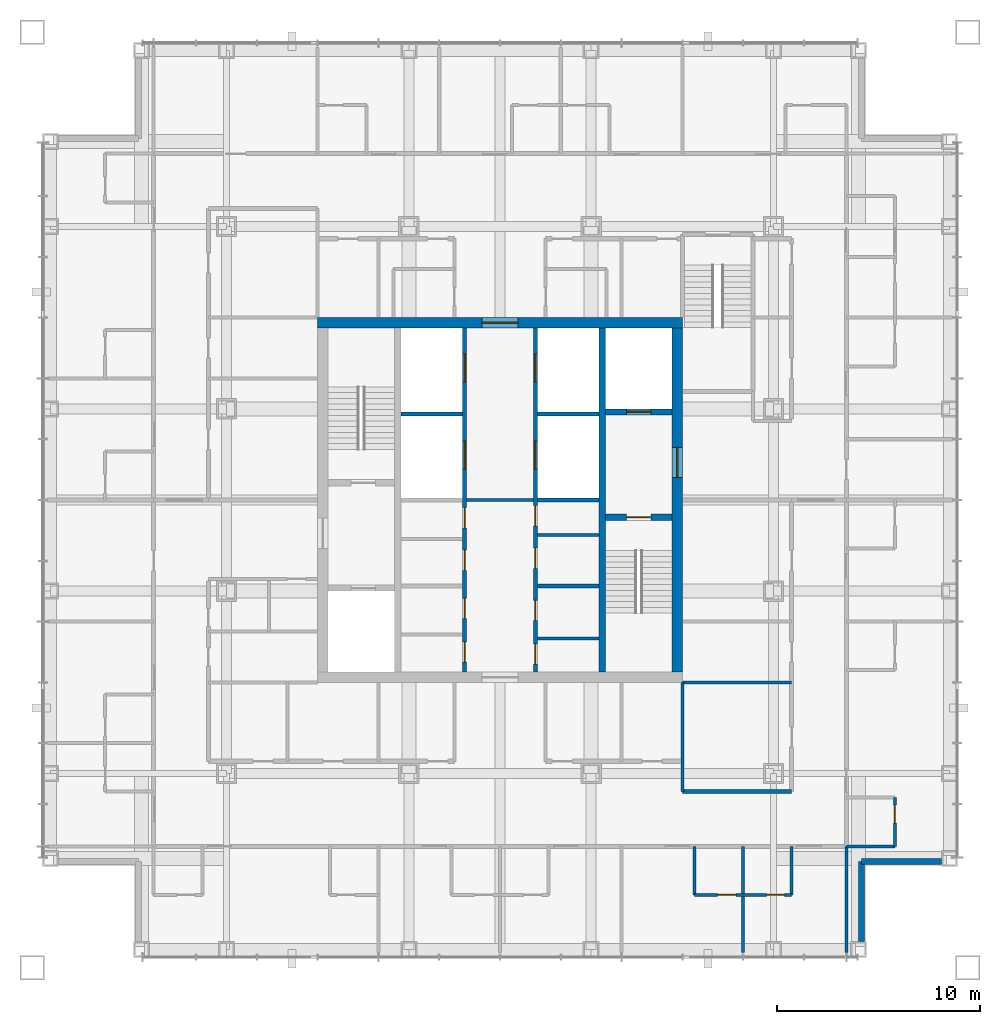
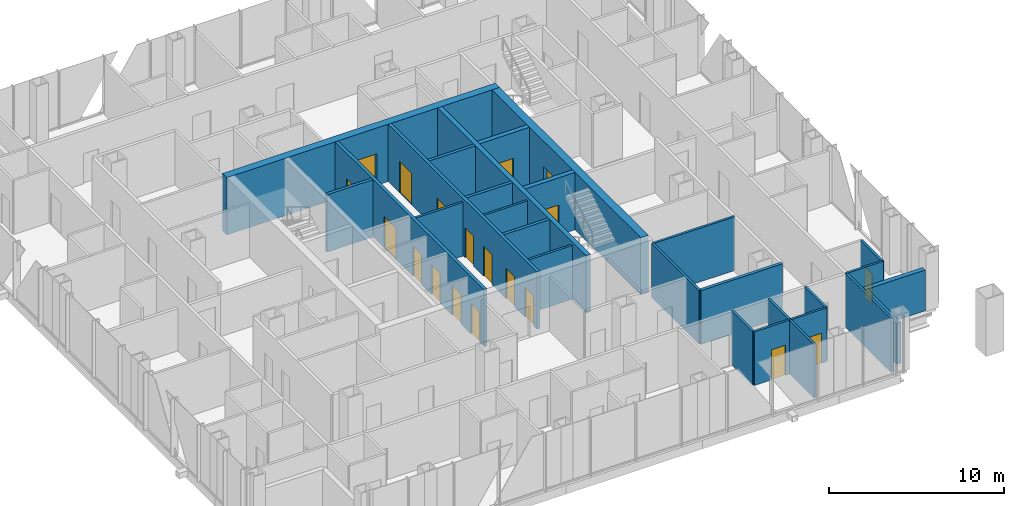
# One storey, part 13 of 21: 27 walls, 19 doors, 19 openings.
"""IFC4 building model written with IfcOpenShell, lengths in metres."""

import ifcopenshell
import ifcopenshell.guid

model = None  # the IFC model being written
_history = None  # IfcOwnerHistory: only IFC2X3 demands one
_inside = {}  # id of a spatial element -> (the spatial element, [elements in it])
_under = {}  # id of a project, library or spatial element -> (it, [spatial elements below it])
_declared = {}  # id of a project -> (the project, [libraries it declares])
_typed = {}  # id of a type object -> (the type object, [elements of that type])
_made_of = {}  # id of a material, layer set ... -> (it, [elements and type objects made of it])


def new_model(schema):
    """Start an empty IFC model of exactly this schema.

    Asked for "IFC4X3", IfcOpenShell would pick the latest addendum, in which some entities
    have other attributes; the version numbers below select the first issue.
    IFC2X3 requires an IfcOwnerHistory on every rooted entity: one is made here for all.
    """
    global model, _history
    if schema == "IFC4X3":
        model = ifcopenshell.file(schema_version=(4, 3, 0, 0))
    else:
        model = ifcopenshell.file(schema=schema)
    _inside.clear()
    _under.clear()
    _declared.clear()
    _typed.clear()
    _made_of.clear()
    _history = None
    if model.schema == "IFC2X3":
        org = make("IfcOrganization", Name="unknown")
        user = make(
            "IfcPersonAndOrganization",
            ThePerson=make("IfcPerson", FamilyName="unknown"),
            TheOrganization=org,
        )
        app = make(
            "IfcApplication",
            ApplicationDeveloper=org,
            Version="unknown",
            ApplicationFullName="unknown",
            ApplicationIdentifier="unknown",
        )
        _history = make(
            "IfcOwnerHistory",
            OwningUser=user,
            OwningApplication=app,
            ChangeAction="ADDED",
            CreationDate=0,
        )
    return model


def make(cls, **values):
    """One entity of the class cls with the attributes given. An attribute that is None is left unset."""
    return model.create_entity(
        cls, **{name: value for name, value in values.items() if value is not None}
    )


def rooted(cls, **values):
    """An entity with a GlobalId (a new one), such as an element, a storey or a relation."""
    return make(cls, GlobalId=ifcopenshell.guid.new(), OwnerHistory=_history, **values)


def si_unit(unit_type, name, prefix=None):
    """IfcSIUnit, for example si_unit("LENGTHUNIT", "METRE", prefix="MILLI")."""
    return make("IfcSIUnit", UnitType=unit_type, Prefix=prefix, Name=name)


def assignment(units):
    """IfcUnitAssignment: the units of a project."""
    return None if units is None else make("IfcUnitAssignment", Units=units)


def point(xyz):
    """IfcCartesianPoint."""
    return None if xyz is None else make("IfcCartesianPoint", Coordinates=xyz)


def direction(xyz):
    """IfcDirection."""
    return None if xyz is None else make("IfcDirection", DirectionRatios=xyz)


def frame(location, z_axis=None, x_axis=None):
    """IfcAxis2Placement3D, a coordinate frame: its origin and axes. An axis left out is left unset."""
    return make(
        "IfcAxis2Placement3D",
        Location=point(location),
        Axis=direction(z_axis),
        RefDirection=direction(x_axis),
    )


def frame_2d(location, x_axis=None):
    """IfcAxis2Placement2D, a coordinate frame in the plane: its origin and x axis."""
    return make(
        "IfcAxis2Placement2D", Location=point(location), RefDirection=direction(x_axis)
    )


def origin():
    """The frame at (0, 0, 0) with its axes left unset."""
    return frame((0.0, 0.0, 0.0))


def place(relative_to, where):
    """IfcLocalPlacement: puts the frame where relative to a parent placement (None: the world)."""
    return make(
        "IfcLocalPlacement", PlacementRelTo=relative_to, RelativePlacement=where
    )


def context(
    kind, dimensions, precision=None, world=None, true_north=None, identifier=None
):
    """IfcGeometricRepresentationContext, for example the 3D "Model" context."""
    return make(
        "IfcGeometricRepresentationContext",
        ContextIdentifier=identifier,
        ContextType=kind,
        CoordinateSpaceDimension=dimensions,
        Precision=precision,
        WorldCoordinateSystem=world,
        TrueNorth=true_north,
    )


def subcontext(parent, identifier, kind, view, scale=None):
    """IfcGeometricRepresentationSubContext, for example "Body" below "Model"."""
    return make(
        "IfcGeometricRepresentationSubContext",
        ContextIdentifier=identifier,
        ContextType=kind,
        ParentContext=parent,
        TargetScale=scale,
        TargetView=view,
    )


def project(units=None, contexts=None):
    """IfcProject with its units and contexts."""
    return rooted(
        "IfcProject",
        Name="project",
        RepresentationContexts=contexts,
        UnitsInContext=assignment(units),
    )


def spatial(cls, under=None, at=None, **own):
    """A site, building, storey or space (cls), placed at a placement, below another one or the project."""
    s = rooted(cls, ObjectPlacement=at, **own)
    if under is not None:
        _under.setdefault(under.id(), (under, []))[1].append(s)
    return s


def profile(cls, at=None, kind="AREA", **sizes):
    """A parametric profile (cls). Its sizes go by their IFC names, for example OverallWidth=200.0."""
    return make(cls, ProfileType=kind, Position=at, **sizes)


def rectangle(**sizes):
    """IfcRectangleProfileDef."""
    return profile("IfcRectangleProfileDef", **sizes)


def extrude(swept, where, along, depth):
    """IfcExtrudedAreaSolid: the profile swept, set in the frame where, extruded along a direction by depth."""
    return make(
        "IfcExtrudedAreaSolid",
        SweptArea=swept,
        Position=where,
        ExtrudedDirection=direction(along),
        Depth=depth,
    )


def shape(context_of_items, identifier, shape_type, items):
    """IfcShapeRepresentation: the items that make up one representation, for example the "Body"."""
    return make(
        "IfcShapeRepresentation",
        ContextOfItems=context_of_items,
        RepresentationIdentifier=identifier,
        RepresentationType=shape_type,
        Items=items,
    )


def material(Name=None, Category=None):
    """IfcMaterial."""
    return make("IfcMaterial", Name=Name, Category=Category)


def layer(
    of_material, thickness, ventilated=None, Name=None, Category=None, Priority=None
):
    """IfcMaterialLayer: one layer of a wall or slab, of a material (None: an air gap)."""
    return make(
        "IfcMaterialLayer",
        Material=of_material,
        LayerThickness=thickness,
        IsVentilated=ventilated,
        Name=Name,
        Category=Category,
        Priority=Priority,
    )


def layer_set(layers, Name=None):
    """IfcMaterialLayerSet."""
    return make("IfcMaterialLayerSet", MaterialLayers=layers, LayerSetName=Name)


def made_of(thing, what):
    """Note that an element or type object is made of a material, layer set ...; save() writes the relation."""
    if what is not None:
        _made_of.setdefault(what.id(), (what, []))[1].append(thing)
    return thing


def type_object(cls, material=None, **own):
    """A type object (cls), such as IfcWallType, which elements share."""
    return made_of(rooted(cls, **own), material)


def element(
    cls,
    number,
    at=None,
    inside=None,
    cuts=None,
    type_object=None,
    material=None,
    context=None,
    identifier="Body",
    shape_type=None,
    held_by="IfcProductDefinitionShape",
    body=None,
    shapes=None,
    **own,
):
    """One element of the class cls, such as IfcWall. Its Tag is "e" and its number.

    at: its placement. inside: the storey or other place that contains it. cuts: it is an
    opening in that element (IfcRelVoidsElement). A single representation is given by context,
    identifier, shape_type and body (its items); several are given by shapes. held_by: the class
    of the entity that holds the representations. save() writes the other relations.
    """
    e = rooted(cls, Tag="e%d" % number, ObjectPlacement=at, **own)
    if body is not None:
        shapes = [shape(context, identifier, shape_type, body)]
    if shapes is not None:
        e.Representation = make(held_by, Representations=shapes)
    if inside is not None:
        _inside.setdefault(inside.id(), (inside, []))[1].append(e)
    if cuts is not None:
        rooted(
            "IfcRelVoidsElement", RelatingBuildingElement=cuts, RelatedOpeningElement=e
        )
    if type_object is not None:
        _typed.setdefault(type_object.id(), (type_object, []))[1].append(e)
    return made_of(e, material)


def fill(opening, filler):
    """IfcRelFillsElement: the door or window that sits in an opening."""
    return rooted(
        "IfcRelFillsElement",
        RelatingOpeningElement=opening,
        RelatedBuildingElement=filler,
    )


def aggregate(whole, parts):
    """IfcRelAggregates: a whole, such as a stair, and the parts it consists of."""
    return rooted("IfcRelAggregates", RelatingObject=whole, RelatedObjects=parts)


def save(model, path):
    """Write the relations noted so far, then the file.

    IfcRelAggregates (storeys below a building ...), IfcRelContainedInSpatialStructure (elements
    in a storey), IfcRelDefinesByType, IfcRelAssociatesMaterial and IfcRelDeclares: one each for
    every whole, place, type object, material and project.
    """
    for whole, parts in _under.values():
        aggregate(whole, parts)
    for where, things in _inside.values():
        rooted(
            "IfcRelContainedInSpatialStructure",
            RelatedElements=things,
            RelatingStructure=where,
        )
    for kind, things in _typed.values():
        rooted("IfcRelDefinesByType", RelatedObjects=things, RelatingType=kind)
    for what, things in _made_of.values():
        rooted("IfcRelAssociatesMaterial", RelatedObjects=things, RelatingMaterial=what)
    for by, libraries in _declared.values():
        rooted("IfcRelDeclares", RelatingContext=by, RelatedDefinitions=libraries)
    model.write(path)


model = new_model("IFC4")

# Units and contexts
model_context = context("Model", 3, precision=1e-05, world=origin(), true_north=direction((0.0, 1.0)))
body_context = subcontext(model_context, "Body", "Model", "MODEL_VIEW")
ifc_project = project(units=[si_unit("LENGTHUNIT", "METRE"), si_unit("AREAUNIT", "SQUARE_METRE"), si_unit("VOLUMEUNIT", "CUBIC_METRE"), si_unit("PLANEANGLEUNIT", "RADIAN"), si_unit("MASSUNIT", "GRAM", prefix="KILO")], contexts=[model_context])

# Site, building, storey
site_placement = place(None, origin())
site = spatial("IfcSite", under=ifc_project, at=site_placement, CompositionType="ELEMENT")
building_placement = place(site_placement, origin())
building = spatial("IfcBuilding", under=site, at=building_placement, Name="Malebo Sky Hospital", CompositionType="ELEMENT")
storey_placement = place(building_placement, frame((0.0, 0.0, 229.0)))
storey = spatial("IfcBuildingStorey", under=building, at=storey_placement, Name="L55", CompositionType="ELEMENT", Elevation=229.0)

# Wall, openings, doors
ifc_material_1 = material(Name="Concrete C80/95", Category="concrete")
ifc_layer_1 = layer(ifc_material_1, 0.199951171875)
ifc_layer_set_1 = layer_set([ifc_layer_1], Name="CORE INNER WALL 200")
wall_type_1 = type_object("IfcWallType", Name="CORE INNER WALL 200", PredefinedType="SHEAR", material=ifc_layer_set_1)
wall_1_placement = place(storey_placement, frame((58.25, 53.5, 0.0), z_axis=(0.0, 0.0, 1.0), x_axis=(0.0, 1.0, 0.0)))
wall_1 = element("IfcWall", 1, at=wall_1_placement, inside=storey, type_object=wall_type_1, Name="Core wall LW L55", PredefinedType="SHEAR", context=body_context, shape_type="SweptSolid", body=[
    extrude(rectangle(XDim=17.0, YDim=0.199951171875, at=frame_2d((8.5, 0.0))), origin(), (0.0, 0.0, 1.0), 4.0),
])
opening_1_placement = place(wall_1_placement, frame((0.49609375, 0.0, 0.0)))
opening_1 = element("IfcOpeningElement", 2, at=opening_1_placement, cuts=wall_1, Name="Opening D17", PredefinedType="OPENING", context=body_context, shape_type="SweptSolid", body=[
    extrude(rectangle(XDim=1.0, YDim=2.10009765625, at=frame_2d((0.5, 1.050048828125))), frame((0.0, 0.10986328125, 0.0), z_axis=(0.0, -1.0, 0.0), x_axis=(1.0, 0.0, 0.0)), (0.0, 0.0, 1.0), 0.219970703125),
])
opening_2_placement = place(wall_1_placement, frame((2.64599609375, 0.0, 0.0)))
opening_2 = element("IfcOpeningElement", 3, at=opening_2_placement, cuts=wall_1, Name="Opening D17", PredefinedType="OPENING", context=body_context, shape_type="SweptSolid", body=[
    extrude(rectangle(XDim=1.0, YDim=2.10009765625, at=frame_2d((0.5, 1.050048828125))), frame((0.0, 0.10986328125, 0.0), z_axis=(0.0, -1.0, 0.0), x_axis=(1.0, 0.0, 0.0)), (0.0, 0.0, 1.0), 0.219970703125),
])
opening_3_placement = place(wall_1_placement, frame((5.026611328125, 0.0, 0.0)))
opening_3 = element("IfcOpeningElement", 4, at=opening_3_placement, cuts=wall_1, Name="Opening D17", PredefinedType="OPENING", context=body_context, shape_type="SweptSolid", body=[
    extrude(rectangle(XDim=1.0, YDim=2.10009765625, at=frame_2d((0.5, 1.050048828125))), frame((0.0, 0.10986328125, 0.0), z_axis=(0.0, -1.0, 0.0), x_axis=(1.0, 0.0, 0.0)), (0.0, 0.0, 1.0), 0.219970703125),
])
opening_4_placement = place(wall_1_placement, frame((7.12646484375, 0.0, 0.0)))
opening_4 = element("IfcOpeningElement", 5, at=opening_4_placement, cuts=wall_1, Name="Opening D17", PredefinedType="OPENING", context=body_context, shape_type="SweptSolid", body=[
    extrude(rectangle(XDim=1.0, YDim=2.10009765625, at=frame_2d((0.5, 1.050048828125))), frame((0.0, 0.10986328125, 0.0), z_axis=(0.0, -1.0, 0.0), x_axis=(1.0, 0.0, 0.0)), (0.0, 0.0, 1.0), 0.219970703125),
])
opening_5_placement = place(wall_1_placement, frame((10.02490234375, 0.0, 0.0)))
opening_5 = element("IfcOpeningElement", 6, at=opening_5_placement, cuts=wall_1, Name="Opening LD1", PredefinedType="OPENING", context=body_context, shape_type="SweptSolid", body=[
    extrude(rectangle(XDim=1.39990234375, YDim=2.199951171875, at=frame_2d((0.699951171875, 1.10009765625))), frame((0.0, 0.10986328125, 0.0), z_axis=(0.0, -1.0, 0.0), x_axis=(1.0, 0.0, 0.0)), (0.0, 0.0, 1.0), 0.219970703125),
])
opening_6_placement = place(wall_1_placement, frame((14.324951171875, 0.0, 0.0)))
opening_6 = element("IfcOpeningElement", 7, at=opening_6_placement, cuts=wall_1, Name="Opening LD1", PredefinedType="OPENING", context=body_context, shape_type="SweptSolid", body=[
    extrude(rectangle(XDim=1.39990234375, YDim=2.199951171875, at=frame_2d((0.699951171875, 1.10009765625))), frame((0.0, 0.10986328125, 0.0), z_axis=(0.0, -1.0, 0.0), x_axis=(1.0, 0.0, 0.0)), (0.0, 0.0, 1.0), 0.219970703125),
])
ifc_material_2 = material(Name="Hardwood-faced door leaf in steel frame", Category="steel")
door_type_1 = type_object("IfcDoorType", Name="FIRE DOOR 1000", OperationType="SINGLE_SWING_LEFT", PredefinedType="DOOR", material=ifc_material_2)
door_1_placement = place(opening_1_placement, origin())
door_1 = element("IfcDoor", 8, at=door_1_placement, inside=storey, type_object=door_type_1, Name="Archive store door", OperationType="SINGLE_SWING_RIGHT", OverallHeight=2.10009765625, OverallWidth=1.0, PredefinedType="DOOR", context=body_context, shape_type="SweptSolid", body=[
    extrude(rectangle(XDim=1.0, YDim=2.10009765625, at=frame_2d((0.5, 1.050048828125))), frame((0.0, 0.02490234375, 0.0), z_axis=(0.0, -1.0, 0.0), x_axis=(1.0, 0.0, 0.0)), (0.0, 0.0, 1.0), 0.050048828125),
])
fill(opening_1, door_1)
door_2_placement = place(opening_2_placement, origin())
door_2 = element("IfcDoor", 9, at=door_2_placement, inside=storey, type_object=door_type_1, Name="General store door", OperationType="SINGLE_SWING_RIGHT", OverallHeight=2.10009765625, OverallWidth=1.0, PredefinedType="DOOR", context=body_context, shape_type="SweptSolid", body=[
    extrude(rectangle(XDim=1.0, YDim=2.10009765625, at=frame_2d((0.5, 1.050048828125))), frame((0.0, 0.02490234375, 0.0), z_axis=(0.0, -1.0, 0.0), x_axis=(1.0, 0.0, 0.0)), (0.0, 0.0, 1.0), 0.050048828125),
])
fill(opening_2, door_2)
door_3_placement = place(opening_3_placement, origin())
door_3 = element("IfcDoor", 10, at=door_3_placement, inside=storey, type_object=door_type_1, Name="Records store door", OperationType="SINGLE_SWING_RIGHT", OverallHeight=2.10009765625, OverallWidth=1.0, PredefinedType="DOOR", context=body_context, shape_type="SweptSolid", body=[
    extrude(rectangle(XDim=1.0, YDim=2.10009765625, at=frame_2d((0.5, 1.050048828125))), frame((0.0, 0.02490234375, 0.0), z_axis=(0.0, -1.0, 0.0), x_axis=(1.0, 0.0, 0.0)), (0.0, 0.0, 1.0), 0.050048828125),
])
fill(opening_3, door_3)
door_4_placement = place(opening_4_placement, origin())
door_4 = element("IfcDoor", 11, at=door_4_placement, inside=storey, type_object=door_type_1, Name="Equipment store door", OperationType="SINGLE_SWING_RIGHT", OverallHeight=2.10009765625, OverallWidth=1.0, PredefinedType="DOOR", context=body_context, shape_type="SweptSolid", body=[
    extrude(rectangle(XDim=1.0, YDim=2.10009765625, at=frame_2d((0.5, 1.050048828125))), frame((0.0, 0.02490234375, 0.0), z_axis=(0.0, -1.0, 0.0), x_axis=(1.0, 0.0, 0.0)), (0.0, 0.0, 1.0), 0.050048828125),
])
fill(opening_4, door_4)
ifc_material_3 = material(Name="Stainless steel sliding landing door", Category="steel")
door_type_2 = type_object("IfcDoorType", Name="LIFT LANDING DOOR 1400", OperationType="SLIDING_TO_LEFT", PredefinedType="DOOR", material=ifc_material_3)
door_5_placement = place(opening_5_placement, origin())
door_5 = element("IfcDoor", 12, at=door_5_placement, inside=storey, type_object=door_type_2, Name="Lift W3 landing door", OperationType="SLIDING_TO_LEFT", OverallHeight=2.199951171875, OverallWidth=1.39990234375, PredefinedType="DOOR", context=body_context, shape_type="SweptSolid", body=[
    extrude(rectangle(XDim=1.39990234375, YDim=2.199951171875, at=frame_2d((0.699951171875, 1.10009765625))), frame((0.0, 0.02490234375, 0.0), z_axis=(0.0, -1.0, 0.0), x_axis=(1.0, 0.0, 0.0)), (0.0, 0.0, 1.0), 0.050048828125),
])
fill(opening_5, door_5)
door_6_placement = place(opening_6_placement, origin())
door_6 = element("IfcDoor", 13, at=door_6_placement, inside=storey, type_object=door_type_2, Name="Lift W4 landing door", OperationType="SLIDING_TO_LEFT", OverallHeight=2.199951171875, OverallWidth=1.39990234375, PredefinedType="DOOR", context=body_context, shape_type="SweptSolid", body=[
    extrude(rectangle(XDim=1.39990234375, YDim=2.199951171875, at=frame_2d((0.699951171875, 1.10009765625))), frame((0.0, 0.02490234375, 0.0), z_axis=(0.0, -1.0, 0.0), x_axis=(1.0, 0.0, 0.0)), (0.0, 0.0, 1.0), 0.050048828125),
])
fill(opening_6, door_6)

wall_2_placement = place(storey_placement, frame((61.75, 53.5, 0.0), z_axis=(0.0, 0.0, 1.0), x_axis=(0.0, 1.0, 0.0)))
wall_2 = element("IfcWall", 14, at=wall_2_placement, inside=storey, type_object=wall_type_1, Name="Core wall LE L55", PredefinedType="SHEAR", context=body_context, shape_type="SweptSolid", body=[
    extrude(rectangle(XDim=17.0, YDim=0.199951171875, at=frame_2d((8.5, 0.0))), origin(), (0.0, 0.0, 1.0), 4.0),
])
opening_7_placement = place(wall_2_placement, frame((0.392578125, 0.0, 0.0)))
opening_7 = element("IfcOpeningElement", 15, at=opening_7_placement, cuts=wall_2, Name="Opening D17", PredefinedType="OPENING", context=body_context, shape_type="SweptSolid", body=[
    extrude(rectangle(XDim=1.0, YDim=2.10009765625, at=frame_2d((0.5, 1.050048828125))), frame((0.0, 0.10986328125, 0.0), z_axis=(0.0, -1.0, 0.0), x_axis=(1.0, 0.0, 0.0)), (0.0, 0.0, 1.0), 0.219970703125),
])
opening_8_placement = place(wall_2_placement, frame((2.54248046875, 0.0, 0.0)))
opening_8 = element("IfcOpeningElement", 16, at=opening_8_placement, cuts=wall_2, Name="Opening D17", PredefinedType="OPENING", context=body_context, shape_type="SweptSolid", body=[
    extrude(rectangle(XDim=1.0, YDim=2.10009765625, at=frame_2d((0.5, 1.050048828125))), frame((0.0, 0.10986328125, 0.0), z_axis=(0.0, -1.0, 0.0), x_axis=(1.0, 0.0, 0.0)), (0.0, 0.0, 1.0), 0.219970703125),
])
opening_9_placement = place(wall_2_placement, frame((5.12744140625, 0.0, 0.0)))
opening_9 = element("IfcOpeningElement", 17, at=opening_9_placement, cuts=wall_2, Name="Opening D17", PredefinedType="OPENING", context=body_context, shape_type="SweptSolid", body=[
    extrude(rectangle(XDim=1.0, YDim=2.10009765625, at=frame_2d((0.5, 1.050048828125))), frame((0.0, 0.10986328125, 0.0), z_axis=(0.0, -1.0, 0.0), x_axis=(1.0, 0.0, 0.0)), (0.0, 0.0, 1.0), 0.219970703125),
])
opening_10_placement = place(wall_2_placement, frame((7.2275390625, 0.0, 0.0)))
opening_10 = element("IfcOpeningElement", 18, at=opening_10_placement, cuts=wall_2, Name="Opening D17", PredefinedType="OPENING", context=body_context, shape_type="SweptSolid", body=[
    extrude(rectangle(XDim=1.0, YDim=2.10009765625, at=frame_2d((0.5, 1.050048828125))), frame((0.0, 0.10986328125, 0.0), z_axis=(0.0, -1.0, 0.0), x_axis=(1.0, 0.0, 0.0)), (0.0, 0.0, 1.0), 0.219970703125),
])
opening_11_placement = place(wall_2_placement, frame((10.02490234375, 0.0, 0.0)))
opening_11 = element("IfcOpeningElement", 19, at=opening_11_placement, cuts=wall_2, Name="Opening LD1", PredefinedType="OPENING", context=body_context, shape_type="SweptSolid", body=[
    extrude(rectangle(XDim=1.39990234375, YDim=2.199951171875, at=frame_2d((0.699951171875, 1.10009765625))), frame((0.0, 0.10986328125, 0.0), z_axis=(0.0, -1.0, 0.0), x_axis=(1.0, 0.0, 0.0)), (0.0, 0.0, 1.0), 0.219970703125),
])
opening_12_placement = place(wall_2_placement, frame((14.324951171875, 0.0, 0.0)))
opening_12 = element("IfcOpeningElement", 20, at=opening_12_placement, cuts=wall_2, Name="Opening LD1", PredefinedType="OPENING", context=body_context, shape_type="SweptSolid", body=[
    extrude(rectangle(XDim=1.39990234375, YDim=2.199951171875, at=frame_2d((0.699951171875, 1.10009765625))), frame((0.0, 0.10986328125, 0.0), z_axis=(0.0, -1.0, 0.0), x_axis=(1.0, 0.0, 0.0)), (0.0, 0.0, 1.0), 0.219970703125),
])
door_7_placement = place(opening_7_placement, origin())
door_7 = element("IfcDoor", 21, at=door_7_placement, inside=storey, type_object=door_type_1, Name="Linen store door", OperationType="SINGLE_SWING_RIGHT", OverallHeight=2.10009765625, OverallWidth=1.0, PredefinedType="DOOR", context=body_context, shape_type="SweptSolid", body=[
    extrude(rectangle(XDim=1.0, YDim=2.10009765625, at=frame_2d((0.5, 1.050048828125))), frame((0.0, 0.02490234375, 0.0), z_axis=(0.0, -1.0, 0.0), x_axis=(1.0, 0.0, 0.0)), (0.0, 0.0, 1.0), 0.050048828125),
])
fill(opening_7, door_7)
door_8_placement = place(opening_8_placement, origin())
door_8 = element("IfcDoor", 22, at=door_8_placement, inside=storey, type_object=door_type_1, Name="Supplies store door", OperationType="SINGLE_SWING_RIGHT", OverallHeight=2.10009765625, OverallWidth=1.0, PredefinedType="DOOR", context=body_context, shape_type="SweptSolid", body=[
    extrude(rectangle(XDim=1.0, YDim=2.10009765625, at=frame_2d((0.5, 1.050048828125))), frame((0.0, 0.02490234375, 0.0), z_axis=(0.0, -1.0, 0.0), x_axis=(1.0, 0.0, 0.0)), (0.0, 0.0, 1.0), 0.050048828125),
])
fill(opening_8, door_8)
door_9_placement = place(opening_9_placement, origin())
door_9 = element("IfcDoor", 23, at=door_9_placement, inside=storey, type_object=door_type_1, Name="Mattress store door", OperationType="SINGLE_SWING_RIGHT", OverallHeight=2.10009765625, OverallWidth=1.0, PredefinedType="DOOR", context=body_context, shape_type="SweptSolid", body=[
    extrude(rectangle(XDim=1.0, YDim=2.10009765625, at=frame_2d((0.5, 1.050048828125))), frame((0.0, 0.02490234375, 0.0), z_axis=(0.0, -1.0, 0.0), x_axis=(1.0, 0.0, 0.0)), (0.0, 0.0, 1.0), 0.050048828125),
])
fill(opening_9, door_9)
door_10_placement = place(opening_10_placement, origin())
door_10 = element("IfcDoor", 24, at=door_10_placement, inside=storey, type_object=door_type_1, Name="Cleaning equipment store door", OperationType="SINGLE_SWING_RIGHT", OverallHeight=2.10009765625, OverallWidth=1.0, PredefinedType="DOOR", context=body_context, shape_type="SweptSolid", body=[
    extrude(rectangle(XDim=1.0, YDim=2.10009765625, at=frame_2d((0.5, 1.050048828125))), frame((0.0, 0.02490234375, 0.0), z_axis=(0.0, -1.0, 0.0), x_axis=(1.0, 0.0, 0.0)), (0.0, 0.0, 1.0), 0.050048828125),
])
fill(opening_10, door_10)
door_11_placement = place(opening_11_placement, origin())
door_11 = element("IfcDoor", 25, at=door_11_placement, inside=storey, type_object=door_type_2, Name="Lift E3 landing door", OperationType="SLIDING_TO_LEFT", OverallHeight=2.199951171875, OverallWidth=1.39990234375, PredefinedType="DOOR", context=body_context, shape_type="SweptSolid", body=[
    extrude(rectangle(XDim=1.39990234375, YDim=2.199951171875, at=frame_2d((0.699951171875, 1.10009765625))), frame((0.0, 0.02490234375, 0.0), z_axis=(0.0, -1.0, 0.0), x_axis=(1.0, 0.0, 0.0)), (0.0, 0.0, 1.0), 0.050048828125),
])
fill(opening_11, door_11)
door_12_placement = place(opening_12_placement, origin())
door_12 = element("IfcDoor", 26, at=door_12_placement, inside=storey, type_object=door_type_2, Name="Lift E4 landing door", OperationType="SLIDING_TO_LEFT", OverallHeight=2.199951171875, OverallWidth=1.39990234375, PredefinedType="DOOR", context=body_context, shape_type="SweptSolid", body=[
    extrude(rectangle(XDim=1.39990234375, YDim=2.199951171875, at=frame_2d((0.699951171875, 1.10009765625))), frame((0.0, 0.02490234375, 0.0), z_axis=(0.0, -1.0, 0.0), x_axis=(1.0, 0.0, 0.0)), (0.0, 0.0, 1.0), 0.050048828125),
])
fill(opening_12, door_12)

# Walls
for number, where, z_axis, x_axis, name in (
    (27, (61.85009765625, 57.75, 0.0), (0.0, 0.0, 1.0), (1.0, 0.0, 0.0), "Core wall SE0 L55"),
    (28, (61.85009765625, 62.0, 0.0), (0.0, 0.0, 1.0), (1.0, 0.0, 0.0), "Core wall SE1 L55"),
    (29, (55.10009765625, 66.25, 0.0), (0.0, 0.0, 1.0), (1.0, 0.0, 0.0), "Core wall SW2 L55"),
    (30, (61.85009765625, 66.25, 0.0), (0.0, 0.0, 1.0), (1.0, 0.0, 0.0), "Core wall SE2 L55"),
):
    element("IfcWall", number, at=place(storey_placement, frame(where, z_axis=z_axis, x_axis=x_axis)), inside=storey, type_object=wall_type_1, Name=name, PredefinedType="SHEAR", context=body_context, shape_type="SweptSolid", body=[
        extrude(rectangle(XDim=3.0498046875, YDim=0.199951171875, at=frame_2d((1.52490234375, 0.0))), origin(), (0.0, 0.0, 1.0), 4.0),
    ])
ifc_layer_2 = layer(ifc_material_1, 0.300048828125)
ifc_layer_set_2 = layer_set([ifc_layer_2], Name="CORE INNER WALL 300")
wall_type_2 = type_object("IfcWallType", Name="CORE INNER WALL 300", PredefinedType="SHEAR", material=ifc_layer_set_2)
wall_3_placement = place(storey_placement, frame((65.050048828125, 53.5, 0.0), z_axis=(0.0, 0.0, 1.0), x_axis=(0.0, 1.0, 0.0)))
element("IfcWall", 31, at=wall_3_placement, inside=storey, type_object=wall_type_2, Name="Core wall XE L55", PredefinedType="SHEAR", context=body_context, shape_type="SweptSolid", body=[
    extrude(rectangle(XDim=17.0, YDim=0.300048828125, at=frame_2d((8.5, 0.0))), origin(), (0.0, 0.0, 1.0), 4.0),
])

# Wall, opening, door
wall_4_placement = place(storey_placement, frame((65.199951171875, 61.14990234375, 0.0), z_axis=(0.0, 0.0, 1.0), x_axis=(1.0, 0.0, 0.0)))
wall_4 = element("IfcWall", 32, at=wall_4_placement, inside=storey, type_object=wall_type_2, Name="Core wall E1 L55", PredefinedType="SHEAR", context=body_context, shape_type="SweptSolid", body=[
    extrude(rectangle(XDim=3.300048828125, YDim=0.300048828125, at=frame_2d((1.64990234375, 0.0))), origin(), (0.0, 0.0, 1.0), 4.0),
])
opening_13_placement = place(wall_4_placement, frame((1.050048828125, 0.0, 0.0)))
opening_13 = element("IfcOpeningElement", 33, at=opening_13_placement, cuts=wall_4, Name="Opening D08", PredefinedType="OPENING", context=body_context, shape_type="SweptSolid", body=[
    extrude(rectangle(XDim=1.199951171875, YDim=2.10009765625, at=frame_2d((0.60009765625, 1.050048828125))), frame((0.0, 0.159912109375, 0.0), z_axis=(0.0, -1.0, 0.0), x_axis=(1.0, 0.0, 0.0)), (0.0, 0.0, 1.0), 0.320068359375),
])
door_type_3 = type_object("IfcDoorType", Name="STAIR DOOR 1200", OperationType="SINGLE_SWING_LEFT", PredefinedType="DOOR", material=ifc_material_2)
door_13_placement = place(opening_13_placement, origin())
door_13 = element("IfcDoor", 34, at=door_13_placement, inside=storey, type_object=door_type_3, Name="Stair S2 door", OperationType="SINGLE_SWING_LEFT", OverallHeight=2.10009765625, OverallWidth=1.199951171875, PredefinedType="DOOR", context=body_context, shape_type="SweptSolid", body=[
    extrude(rectangle(XDim=1.199951171875, YDim=2.10009765625, at=frame_2d((0.60009765625, 1.050048828125))), frame((0.0, 0.02490234375, 0.0), z_axis=(0.0, -1.0, 0.0), x_axis=(1.0, 0.0, 0.0)), (0.0, 0.0, 1.0), 0.050048828125),
])
fill(opening_13, door_13)

wall_5_placement = place(storey_placement, frame((65.199951171875, 66.35009765625, 0.0), z_axis=(0.0, 0.0, 1.0), x_axis=(1.0, 0.0, 0.0)))
wall_5 = element("IfcWall", 35, at=wall_5_placement, inside=storey, type_object=wall_type_2, Name="Core wall E2 L55", PredefinedType="SHEAR", context=body_context, shape_type="SweptSolid", body=[
    extrude(rectangle(XDim=3.300048828125, YDim=0.300048828125, at=frame_2d((1.64990234375, 0.0))), origin(), (0.0, 0.0, 1.0), 4.0),
])
opening_14_placement = place(wall_5_placement, frame((1.050048828125, 0.0, 0.0)))
opening_14 = element("IfcOpeningElement", 36, at=opening_14_placement, cuts=wall_5, Name="Opening LD2", PredefinedType="OPENING", context=body_context, shape_type="SweptSolid", body=[
    extrude(rectangle(XDim=1.199951171875, YDim=2.199951171875, at=frame_2d((0.60009765625, 1.10009765625))), frame((0.0, 0.159912109375, 0.0), z_axis=(0.0, -1.0, 0.0), x_axis=(1.0, 0.0, 0.0)), (0.0, 0.0, 1.0), 0.320068359375),
])
door_type_4 = type_object("IfcDoorType", Name="FIRE-FIGHTING LIFT LANDING DOOR 1200", OperationType="SLIDING_TO_LEFT", PredefinedType="DOOR", material=ifc_material_3)
door_14_placement = place(opening_14_placement, origin())
door_14 = element("IfcDoor", 37, at=door_14_placement, inside=storey, type_object=door_type_4, Name="Lift FL2 landing door", OperationType="SLIDING_TO_LEFT", OverallHeight=2.199951171875, OverallWidth=1.199951171875, PredefinedType="DOOR", context=body_context, shape_type="SweptSolid", body=[
    extrude(rectangle(XDim=1.199951171875, YDim=2.199951171875, at=frame_2d((0.60009765625, 1.10009765625))), frame((0.0, 0.02490234375, 0.0), z_axis=(0.0, -1.0, 0.0), x_axis=(1.0, 0.0, 0.0)), (0.0, 0.0, 1.0), 0.050048828125),
])
fill(opening_14, door_14)

ifc_layer_3 = layer(ifc_material_1, 0.5)
ifc_layer_set_3 = layer_set([ifc_layer_3], Name="CORE WALL 500")
wall_type_3 = type_object("IfcWallType", Name="CORE WALL 500", PredefinedType="SHEAR", material=ifc_layer_set_3)
wall_6_placement = place(storey_placement, frame((51.0, 70.75, 0.0), z_axis=(0.0, 0.0, 1.0), x_axis=(1.0, 0.0, 0.0)))
wall_6 = element("IfcWall", 38, at=wall_6_placement, inside=storey, type_object=wall_type_3, Name="Core wall N L55", PredefinedType="SHEAR", context=body_context, shape_type="SweptSolid", body=[
    extrude(rectangle(XDim=18.0, YDim=0.5, at=frame_2d((9.0, 0.0))), origin(), (0.0, 0.0, 1.0), 4.0),
])
opening_15_placement = place(wall_6_placement, frame((8.10009765625, 0.0, 0.0)))
opening_15 = element("IfcOpeningElement", 39, at=opening_15_placement, cuts=wall_6, Name="Opening D06", PredefinedType="OPENING", context=body_context, shape_type="SweptSolid", body=[
    extrude(rectangle(XDim=1.800048828125, YDim=2.199951171875, at=frame_2d((0.89990234375, 1.10009765625))), frame((0.0, 0.260009765625, 0.0), z_axis=(0.0, -1.0, 0.0), x_axis=(1.0, 0.0, 0.0)), (0.0, 0.0, 1.0), 0.52001953125),
])
door_type_5 = type_object("IfcDoorType", Name="LOBBY DOOR PAIR 1800", OperationType="DOUBLE_DOOR_SINGLE_SWING", PredefinedType="DOOR", material=ifc_material_2)
door_15_placement = place(opening_15_placement, origin())
door_15 = element("IfcDoor", 40, at=door_15_placement, inside=storey, type_object=door_type_5, Name="Lift lobby door north", OperationType="DOUBLE_DOOR_SINGLE_SWING", OverallHeight=2.199951171875, OverallWidth=1.800048828125, PredefinedType="DOOR", context=body_context, shape_type="SweptSolid", body=[
    extrude(rectangle(XDim=1.800048828125, YDim=2.199951171875, at=frame_2d((0.89990234375, 1.10009765625))), frame((0.0, 0.02490234375, 0.0), z_axis=(0.0, -1.0, 0.0), x_axis=(1.0, 0.0, 0.0)), (0.0, 0.0, 1.0), 0.050048828125),
])
fill(opening_15, door_15)

wall_7_placement = place(storey_placement, frame((68.75, 53.5, 0.0), z_axis=(0.0, 0.0, 1.0), x_axis=(0.0, 1.0, 0.0)))
wall_7 = element("IfcWall", 41, at=wall_7_placement, inside=storey, type_object=wall_type_3, Name="Core wall E L55", PredefinedType="SHEAR", context=body_context, shape_type="SweptSolid", body=[
    extrude(rectangle(XDim=17.0, YDim=0.5, at=frame_2d((8.5, 0.0))), origin(), (0.0, 0.0, 1.0), 4.0),
])
opening_16_placement = place(wall_7_placement, frame((9.60009765625, 0.0, 0.0)))
opening_16 = element("IfcOpeningElement", 42, at=opening_16_placement, cuts=wall_7, Name="Opening D07", PredefinedType="OPENING", context=body_context, shape_type="SweptSolid", body=[
    extrude(rectangle(XDim=1.5, YDim=2.199951171875, at=frame_2d((0.75, 1.10009765625))), frame((0.0, 0.260009765625, 0.0), z_axis=(0.0, -1.0, 0.0), x_axis=(1.0, 0.0, 0.0)), (0.0, 0.0, 1.0), 0.52001953125),
])
door_type_6 = type_object("IfcDoorType", Name="FIRE-FIGHTING LOBBY DOOR PAIR 1500", OperationType="DOUBLE_DOOR_SINGLE_SWING", PredefinedType="DOOR", material=ifc_material_2)
door_16_placement = place(opening_16_placement, origin())
door_16 = element("IfcDoor", 43, at=door_16_placement, inside=storey, type_object=door_type_6, Name="Fire-fighting lobby door east", OperationType="DOUBLE_DOOR_SINGLE_SWING", OverallHeight=2.199951171875, OverallWidth=1.5, PredefinedType="DOOR", context=body_context, shape_type="SweptSolid", body=[
    extrude(rectangle(XDim=1.5, YDim=2.199951171875, at=frame_2d((0.75, 1.10009765625))), frame((0.0, 0.02490234375, 0.0), z_axis=(0.0, -1.0, 0.0), x_axis=(1.0, 0.0, 0.0)), (0.0, 0.0, 1.0), 0.050048828125),
])
fill(opening_16, door_16)

# Walls
ifc_material_4 = material(Name="Gypsum board on steel studs", Category="steel")
ifc_layer_4 = layer(ifc_material_4, 0.199951171875)
ifc_layer_set_4 = layer_set([ifc_layer_4], Name="CORRIDOR WALL 200")
wall_type_4 = type_object("IfcWallType", Name="CORRIDOR WALL 200", PredefinedType="PARTITIONING", material=ifc_layer_set_4)
wall_8_placement = place(storey_placement, frame((74.39990234375, 47.60009765625, 0.0), z_axis=(0.0, 0.0, 1.0), x_axis=(-1.0, 0.0, 0.0)))
element("IfcWall", 44, at=wall_8_placement, inside=storey, type_object=wall_type_4, Name="Corridor Wall 200 SCIK", PredefinedType="PARTITIONING", context=body_context, shape_type="SweptSolid", body=[
    extrude(rectangle(XDim=5.39990234375, YDim=0.199951171875, at=frame_2d((2.699951171875, 0.0))), origin(), (0.0, 0.0, 1.0), 3.75),
])
ifc_material_5 = material(Name="Anodised aluminium rainscreen on steel framing", Category="steel")
ifc_layer_5 = layer(ifc_material_5, 0.300048828125)
ifc_layer_set_5 = layer_set([ifc_layer_5], Name="NOTCH RAINSCREEN WALL 300")
wall_type_5 = type_object("IfcWallType", Name="NOTCH RAINSCREEN WALL 300", PredefinedType="ELEMENTEDWALL", material=ifc_layer_set_5)
for number, where, z_axis, x_axis, name in (
    (45, (81.800048828125, 44.14990234375, 0.0), (0.0, 0.0, 1.0), (-1.0, 0.0, 0.0), "Notch rainscreen wall E1 L55"),
    (46, (77.85009765625, 44.14990234375, 0.0), (0.0, 0.0, 1.0), (0.0, -1.0, 0.0), "Notch rainscreen wall E2 L55"),
):
    element("IfcWall", number, at=place(storey_placement, frame(where, z_axis=z_axis, x_axis=x_axis)), inside=storey, type_object=wall_type_5, Name=name, PredefinedType="ELEMENTEDWALL", context=body_context, shape_type="SweptSolid", body=[
        extrude(rectangle(XDim=3.949951171875, YDim=0.300048828125, at=frame_2d((1.97509765625, 0.0))), origin(), (0.0, 0.0, 1.0), 2.85009765625),
    ])
ifc_layer_6 = layer(ifc_material_4, 0.14990234375)
ifc_layer_set_6 = layer_set([ifc_layer_6], Name="PARTITION 150")
wall_type_6 = type_object("IfcWallType", Name="PARTITION 150", PredefinedType="PARTITIONING", material=ifc_layer_set_6)
for number, where, z_axis, x_axis, name in (
    (47, (72.0, 44.89990234375, 0.0), (0.0, 0.0, 1.0), (0.0, -1.0, 0.0), "Partition 150 SP-12.0"),
    (48, (77.10009765625, 44.89990234375, 0.0), (0.0, 0.0, 1.0), (0.0, -1.0, 0.0), "Partition 150 SP0"),
):
    element("IfcWall", number, at=place(storey_placement, frame(where, z_axis=z_axis, x_axis=x_axis)), inside=storey, type_object=wall_type_6, Name=name, PredefinedType="PARTITIONING", context=body_context, shape_type="SweptSolid", body=[
        extrude(rectangle(XDim=5.25, YDim=0.14990234375, at=frame_2d((2.625, 0.0))), origin(), (0.0, 0.0, 1.0), 3.75),
    ])

# Wall, opening, door
wall_9_placement = place(storey_placement, frame((74.39990234375, 42.5, 0.0), z_axis=(0.0, 0.0, 1.0), x_axis=(-1.0, 0.0, 0.0)))
wall_9 = element("IfcWall", 49, at=wall_9_placement, inside=storey, type_object=wall_type_6, Name="Partition 150 SE0F", PredefinedType="PARTITIONING", context=body_context, shape_type="SweptSolid", body=[
    extrude(rectangle(XDim=2.39990234375, YDim=0.14990234375, at=frame_2d((1.199951171875, 0.0))), origin(), (0.0, 0.0, 1.0), 3.75),
])
opening_17_placement = place(wall_9_placement, frame((0.35009765625, 0.0, 0.0)))
opening_17 = element("IfcOpeningElement", 50, at=opening_17_placement, cuts=wall_9, Name="Opening D02", PredefinedType="OPENING", context=body_context, shape_type="SweptSolid", body=[
    extrude(rectangle(XDim=0.89990234375, YDim=2.10009765625, at=frame_2d((0.449951171875, 1.050048828125))), frame((0.0, 0.0849609375, 0.0), z_axis=(0.0, -1.0, 0.0), x_axis=(1.0, 0.0, 0.0)), (0.0, 0.0, 1.0), 0.169921875),
])
door_type_7 = type_object("IfcDoorType", Name="EN-SUITE DOOR 900", OperationType="SINGLE_SWING_LEFT", PredefinedType="DOOR", material=ifc_material_2)
door_17_placement = place(opening_17_placement, origin())
door_17 = element("IfcDoor", 51, at=door_17_placement, inside=storey, type_object=door_type_7, Name="En-suite door", OperationType="SINGLE_SWING_LEFT", OverallHeight=2.10009765625, OverallWidth=0.89990234375, PredefinedType="DOOR", context=body_context, shape_type="SweptSolid", body=[
    extrude(rectangle(XDim=0.89990234375, YDim=2.10009765625, at=frame_2d((0.449951171875, 1.050048828125))), frame((0.0, 0.02490234375, 0.0), z_axis=(0.0, -1.0, 0.0), x_axis=(1.0, 0.0, 0.0)), (0.0, 0.0, 1.0), 0.050048828125),
])
fill(opening_17, door_17)

# Wall
wall_10_placement = place(storey_placement, frame((74.39990234375, 44.89990234375, 0.0), z_axis=(0.0, 0.0, 1.0), x_axis=(0.0, -1.0, 0.0)))
element("IfcWall", 52, at=wall_10_placement, inside=storey, type_object=wall_type_6, Name="Partition 150 SE0S", PredefinedType="PARTITIONING", context=body_context, shape_type="SweptSolid", body=[
    extrude(rectangle(XDim=2.39990234375, YDim=0.14990234375, at=frame_2d((1.199951171875, 0.0))), origin(), (0.0, 0.0, 1.0), 3.75),
])

# Wall, opening, door
wall_11_placement = place(storey_placement, frame((72.0, 42.5, 0.0), z_axis=(0.0, 0.0, 1.0), x_axis=(-1.0, 0.0, 0.0)))
wall_11 = element("IfcWall", 53, at=wall_11_placement, inside=storey, type_object=wall_type_6, Name="Partition 150 SE1F", PredefinedType="PARTITIONING", context=body_context, shape_type="SweptSolid", body=[
    extrude(rectangle(XDim=2.39990234375, YDim=0.14990234375, at=frame_2d((1.199951171875, 0.0))), origin(), (0.0, 0.0, 1.0), 3.75),
])
opening_18_placement = place(wall_11_placement, frame((0.35009765625, 0.0, 0.0)))
opening_18 = element("IfcOpeningElement", 54, at=opening_18_placement, cuts=wall_11, Name="Opening D02", PredefinedType="OPENING", context=body_context, shape_type="SweptSolid", body=[
    extrude(rectangle(XDim=0.89990234375, YDim=2.10009765625, at=frame_2d((0.449951171875, 1.050048828125))), frame((0.0, 0.0849609375, 0.0), z_axis=(0.0, -1.0, 0.0), x_axis=(1.0, 0.0, 0.0)), (0.0, 0.0, 1.0), 0.169921875),
])
door_18_placement = place(opening_18_placement, origin())
door_18 = element("IfcDoor", 55, at=door_18_placement, inside=storey, type_object=door_type_7, Name="En-suite door", OperationType="SINGLE_SWING_LEFT", OverallHeight=2.10009765625, OverallWidth=0.89990234375, PredefinedType="DOOR", context=body_context, shape_type="SweptSolid", body=[
    extrude(rectangle(XDim=0.89990234375, YDim=2.10009765625, at=frame_2d((0.449951171875, 1.050048828125))), frame((0.0, 0.02490234375, 0.0), z_axis=(0.0, -1.0, 0.0), x_axis=(1.0, 0.0, 0.0)), (0.0, 0.0, 1.0), 0.050048828125),
])
fill(opening_18, door_18)

# Walls
wall_12_placement = place(storey_placement, frame((69.60009765625, 44.89990234375, 0.0), z_axis=(0.0, 0.0, 1.0), x_axis=(0.0, -1.0, 0.0)))
element("IfcWall", 56, at=wall_12_placement, inside=storey, type_object=wall_type_6, Name="Partition 150 SE1S", PredefinedType="PARTITIONING", context=body_context, shape_type="SweptSolid", body=[
    extrude(rectangle(XDim=2.39990234375, YDim=0.14990234375, at=frame_2d((1.199951171875, 0.0))), origin(), (0.0, 0.0, 1.0), 3.75),
])
wall_13_placement = place(storey_placement, frame((69.0, 53.0, 0.0), z_axis=(0.0, 0.0, 1.0), x_axis=(0.0, -1.0, 0.0)))
element("IfcWall", 57, at=wall_13_placement, inside=storey, type_object=wall_type_6, Name="Partition 150 SSP0", PredefinedType="PARTITIONING", context=body_context, shape_type="SweptSolid", body=[
    extrude(rectangle(XDim=5.39990234375, YDim=0.14990234375, at=frame_2d((2.699951171875, 0.0))), origin(), (0.0, 0.0, 1.0), 3.75),
])

# Wall, opening, door
wall_14_placement = place(storey_placement, frame((79.5, 47.300048828125, 0.0), z_axis=(0.0, 0.0, 1.0), x_axis=(0.0, -1.0, 0.0)))
wall_14 = element("IfcWall", 58, at=wall_14_placement, inside=storey, type_object=wall_type_6, Name="Partition 150 EE4F", PredefinedType="PARTITIONING", context=body_context, shape_type="SweptSolid", body=[
    extrude(rectangle(XDim=2.400146484375, YDim=0.14990234375, at=frame_2d((1.2001953125, 0.0))), origin(), (0.0, 0.0, 1.0), 3.75),
])
opening_19_placement = place(wall_14_placement, frame((0.35009765625, 0.0, 0.0)))
opening_19 = element("IfcOpeningElement", 59, at=opening_19_placement, cuts=wall_14, Name="Opening D02", PredefinedType="OPENING", context=body_context, shape_type="SweptSolid", body=[
    extrude(rectangle(XDim=0.89990234375, YDim=2.10009765625, at=frame_2d((0.449951171875, 1.050048828125))), frame((0.0, 0.0849609375, 0.0), z_axis=(0.0, -1.0, 0.0), x_axis=(1.0, 0.0, 0.0)), (0.0, 0.0, 1.0), 0.169921875),
])
door_19_placement = place(opening_19_placement, origin())
door_19 = element("IfcDoor", 60, at=door_19_placement, inside=storey, type_object=door_type_7, Name="En-suite door", OperationType="SINGLE_SWING_LEFT", OverallHeight=2.10009765625, OverallWidth=0.89990234375, PredefinedType="DOOR", context=body_context, shape_type="SweptSolid", body=[
    extrude(rectangle(XDim=0.89990234375, YDim=2.10009765625, at=frame_2d((0.449951171875, 1.050048828125))), frame((0.0, 0.02490234375, 0.0), z_axis=(0.0, -1.0, 0.0), x_axis=(1.0, 0.0, 0.0)), (0.0, 0.0, 1.0), 0.050048828125),
])
fill(opening_19, door_19)

# Walls
wall_15_placement = place(storey_placement, frame((77.10009765625, 44.89990234375, 0.0), z_axis=(0.0, 0.0, 1.0), x_axis=(1.0, 0.0, 0.0)))
element("IfcWall", 61, at=wall_15_placement, inside=storey, type_object=wall_type_6, Name="Partition 150 EEZ", PredefinedType="PARTITIONING", context=body_context, shape_type="SweptSolid", body=[
    extrude(rectangle(XDim=2.39990234375, YDim=0.14990234375, at=frame_2d((1.199951171875, 0.0))), origin(), (0.0, 0.0, 1.0), 3.75),
])
wall_16_placement = place(storey_placement, frame((69.0, 53.0, 0.0), z_axis=(0.0, 0.0, 1.0), x_axis=(1.0, 0.0, 0.0)))
element("IfcWall", 62, at=wall_16_placement, inside=storey, type_object=wall_type_6, Name="Partition 150 ESP+9.0", PredefinedType="PARTITIONING", context=body_context, shape_type="SweptSolid", body=[
    extrude(rectangle(XDim=5.39990234375, YDim=0.14990234375, at=frame_2d((2.699951171875, 0.0))), origin(), (0.0, 0.0, 1.0), 3.75),
])
for number, where, z_axis, x_axis, name in (
    (63, (61.85009765625, 55.159912109375, 0.0), (0.0, 0.0, 1.0), (1.0, 0.0, 0.0), "Partition 150 SHE1"),
    (64, (61.85009765625, 60.280029296875, 0.0), (0.0, 0.0, 1.0), (1.0, 0.0, 0.0), "Partition 150 SHE2"),
):
    element("IfcWall", number, at=place(storey_placement, frame(where, z_axis=z_axis, x_axis=x_axis)), inside=storey, type_object=wall_type_6, Name=name, PredefinedType="PARTITIONING", context=body_context, shape_type="SweptSolid", body=[
        extrude(rectangle(XDim=3.0498046875, YDim=0.14990234375, at=frame_2d((1.52490234375, 0.0))), origin(), (0.0, 0.0, 1.0), 3.75),
    ])
wall_17_placement = place(storey_placement, frame((58.35009765625, 62.0, 0.0), z_axis=(0.0, 0.0, 1.0), x_axis=(1.0, 0.0, 0.0)))
element("IfcWall", 65, at=wall_17_placement, inside=storey, type_object=wall_type_6, Name="Partition 150 LBS", PredefinedType="PARTITIONING", context=body_context, shape_type="SweptSolid", body=[
    extrude(rectangle(XDim=3.2998046875, YDim=0.14990234375, at=frame_2d((1.64990234375, 0.0))), origin(), (0.0, 0.0, 1.0), 3.75),
])

save(model, "model.ifc")
